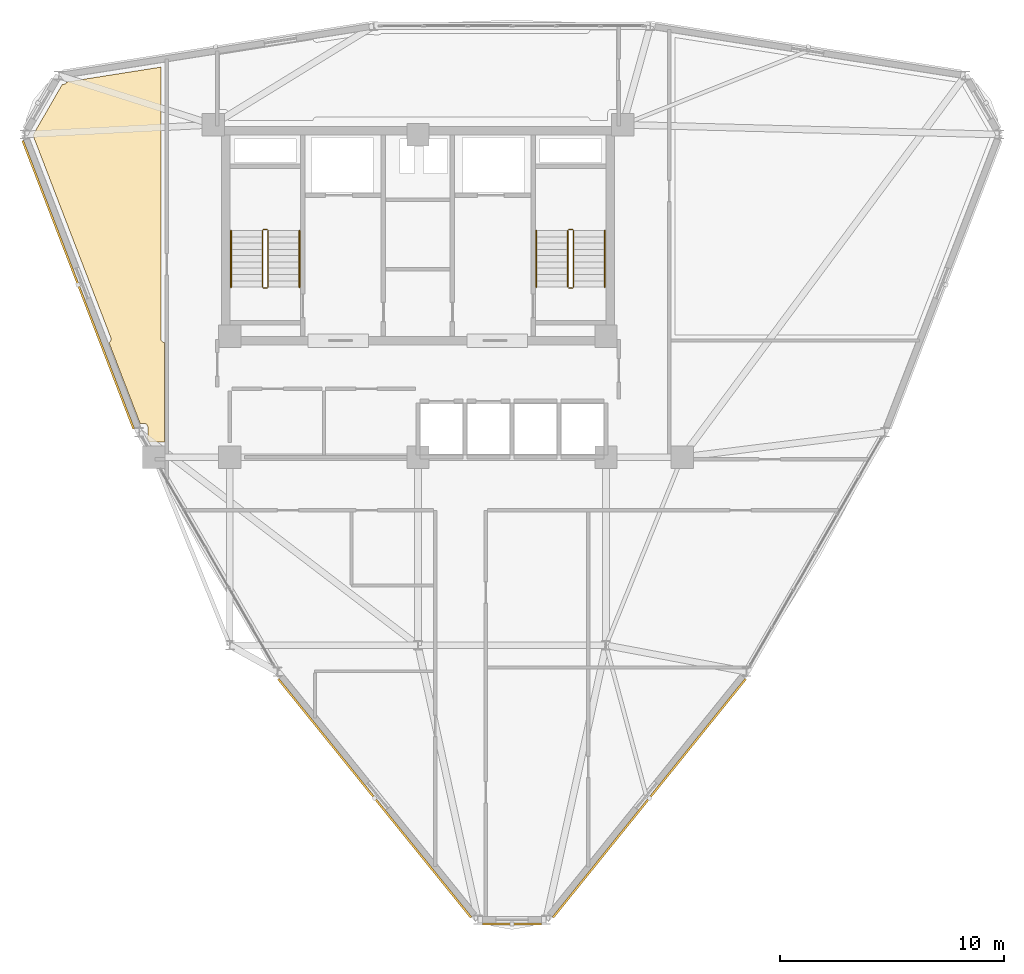
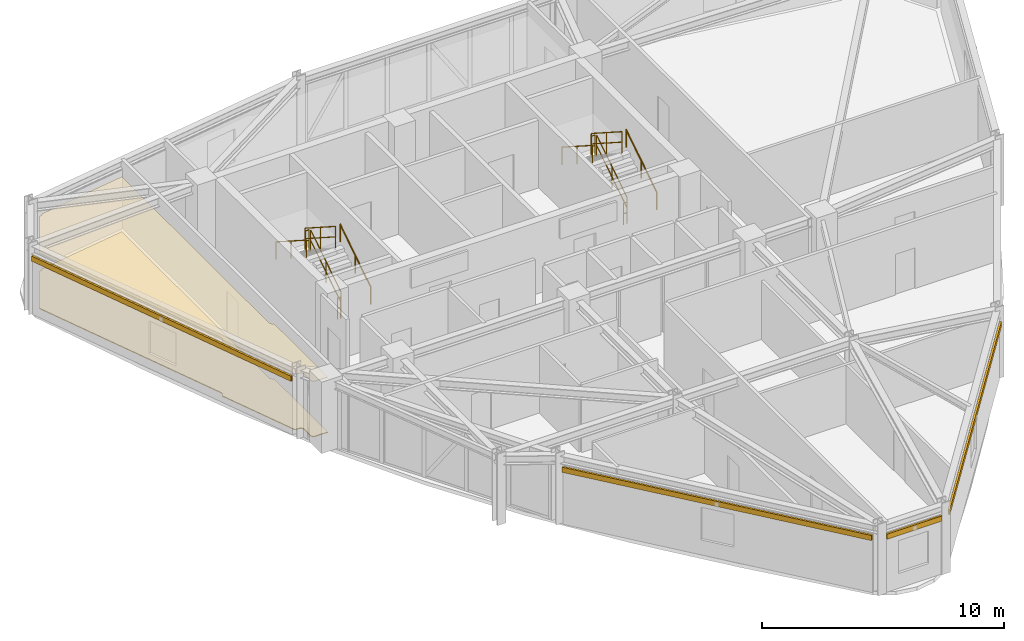
# One storey, part 17 of 18: 12 railings, 4 shading devices, 2 coverings.
"""IFC4 building model written with IfcOpenShell, lengths in metres."""

from ifc_helpers import new_model, si_unit, derived_unit, direction, frame, origin, origin_2d, place, context, subcontext, project, spatial, polyline, hollow_rectangle, circle, outline, extrude, source, transform, mapped, material, layer, layer_set, material_profile, profile_set, type_object, element, save


model = new_model("IFC4")

# Units and contexts
model_context = context("Model", 3, precision=1e-05, world=origin(), true_north=direction((0.0, 1.0)))
body_context = subcontext(model_context, "Body", "Model", "MODEL_VIEW")
ifc_project = project(units=[si_unit("LENGTHUNIT", "METRE"), si_unit("AREAUNIT", "SQUARE_METRE"), si_unit("VOLUMEUNIT", "CUBIC_METRE"), si_unit("PLANEANGLEUNIT", "RADIAN"), si_unit("MASSUNIT", "GRAM", prefix="KILO"), derived_unit("THERMALTRANSMITTANCEUNIT", [(si_unit("POWERUNIT", "WATT"), 1), (si_unit("LENGTHUNIT", "METRE"), -2), (si_unit("THERMODYNAMICTEMPERATUREUNIT", "KELVIN"), -1)])], contexts=[model_context])

# Site, building, storey
site_placement = place(None, origin())
site = spatial("IfcSite", under=ifc_project, at=site_placement, CompositionType="ELEMENT")
building_placement = place(site_placement, origin())
building = spatial("IfcBuilding", under=site, at=building_placement, Name="Korsvarv Bourse and Concert Hall", CompositionType="ELEMENT")
storey_placement = place(building_placement, frame((0.0, 0.0, 209.39990234375)))
storey = spatial("IfcBuildingStorey", under=building, at=storey_placement, Name="L54", CompositionType="ELEMENT", Elevation=209.39990234375)

# Coverings
ifc_material_1 = material(Name="Perforated mineral-wool and birch acoustic baffle ceiling", Category="wood")
ifc_layer_1 = layer(ifc_material_1, 0.02490234375)
ifc_layer_set_1 = layer_set([ifc_layer_1], Name="Perforated mineral-wool and birch acoustic baffle ceiling")
covering_type_1 = type_object("IfcCoveringType", Name="COV-CEIL-1", PredefinedType="CEILING", material=ifc_layer_set_1)
covering_1_placement = place(storey_placement, frame((0.0, 0.0, 2.7900390625)))
element("IfcCovering", 1, at=covering_1_placement, inside=storey, type_object=covering_type_1, Name="L54 acoustic baffle ceiling 3", PredefinedType="CEILING", context=body_context, shape_type="SweptSolid", body=[
    extrude(outline(polyline([(24.52001953125, 49.822509765625), (24.52001953125, 37.68994140625), (24.523681640625, 37.65380859375), (24.53466796875, 37.618896484375), (24.55224609375, 37.587158203125), (24.575927734375, 37.5595703125), (24.604736328125, 37.537353515625), (24.637451171875, 37.521240234375), (24.672607421875, 37.51220703125), (24.679931640625, 33.080322265625), (24.004150390625, 33.088623046875), (23.919189453125, 33.236083984375), (23.927001953125, 33.26171875), (23.93115234375, 33.296142578125), (23.941162109375, 33.72216796875), (23.938720703125, 33.757080078125), (23.92919921875, 33.790771484375), (23.91357421875, 33.822265625), (23.89208984375, 33.849853515625), (23.865478515625, 33.872802734375), (23.835205078125, 33.890380859375), (23.802001953125, 33.901611328125), (23.767333984375, 33.90625), (23.589599609375, 33.912109375), (22.2001953125, 37.52001953125), (22.22119140625, 37.533203125), (22.248046875, 37.557373046875), (22.269287109375, 37.58642578125), (22.284423828125, 37.618896484375), (22.29296875, 37.654052734375), (22.294189453125, 37.690185546875), (22.2880859375, 37.7255859375), (18.822998046875, 46.73681640625), (18.822998046875, 46.81201171875), (20.11474609375, 49.0498046875), (20.15478515625, 49.0498046875), (20.189697265625, 49.05322265625), (20.22314453125, 49.063232421875), (20.254150390625, 49.07958984375), (20.28125, 49.1015625), (20.3037109375, 49.12841796875), (20.320556640625, 49.1591796875), (24.52001953125, 49.822509765625)])), origin(), (0.0, 0.0, 1.0), 0.025146484375),
])
ifc_material_2 = material(Name="Calcium-sulphate raised access trading floor with Nordic oak top", Category="wood")
ifc_layer_2 = layer(ifc_material_2, 0.0400390625)
ifc_layer_set_2 = layer_set([ifc_layer_2], Name="Calcium-sulphate raised access trading floor with Nordic oak top")
covering_type_2 = type_object("IfcCoveringType", Name="COV-FLOR-1", PredefinedType="FLOORING", material=ifc_layer_set_2)
covering_2_placement = place(storey_placement, origin())
element("IfcCovering", 2, at=covering_2_placement, inside=storey, type_object=covering_type_2, Name="L54 raised access oak floor finish 3", PredefinedType="FLOORING", context=body_context, shape_type="SweptSolid", body=[
    extrude(outline(polyline([(24.52001953125, 49.822509765625), (24.52001953125, 37.68994140625), (24.523681640625, 37.65380859375), (24.53466796875, 37.618896484375), (24.55224609375, 37.587158203125), (24.575927734375, 37.5595703125), (24.604736328125, 37.537353515625), (24.637451171875, 37.521240234375), (24.672607421875, 37.51220703125), (24.679931640625, 33.080322265625), (24.004150390625, 33.088623046875), (23.919189453125, 33.236083984375), (23.927001953125, 33.26171875), (23.93115234375, 33.296142578125), (23.941162109375, 33.72216796875), (23.938720703125, 33.757080078125), (23.92919921875, 33.790771484375), (23.91357421875, 33.822265625), (23.89208984375, 33.849853515625), (23.865478515625, 33.872802734375), (23.835205078125, 33.890380859375), (23.802001953125, 33.901611328125), (23.767333984375, 33.90625), (23.589599609375, 33.912109375), (22.2001953125, 37.52001953125), (22.22119140625, 37.533203125), (22.248046875, 37.557373046875), (22.269287109375, 37.58642578125), (22.284423828125, 37.618896484375), (22.29296875, 37.654052734375), (22.294189453125, 37.690185546875), (22.2880859375, 37.7255859375), (18.822998046875, 46.73681640625), (18.822998046875, 46.81201171875), (20.11474609375, 49.0498046875), (20.15478515625, 49.0498046875), (20.189697265625, 49.05322265625), (20.22314453125, 49.063232421875), (20.254150390625, 49.07958984375), (20.28125, 49.1015625), (20.3037109375, 49.12841796875), (20.320556640625, 49.1591796875), (24.52001953125, 49.822509765625)])), origin(), (0.0, 0.0, 1.0), 0.0400390625),
])

# Railings
ifc_material_3 = material(Name="Painted Steel S355 stair well guardrail", Category="steel")
railing_type_1 = type_object("IfcRailingType", Name="RL-ST-GRD", PredefinedType="GUARDRAIL", material=ifc_material_3)
railing_1_placement = place(storey_placement, frame((29.31005859375, 40.0, 0.18017578125)))
element("IfcRailing", 3, at=railing_1_placement, inside=storey, type_object=railing_type_1, Name="L54 ST-T1 stair guard 1", PredefinedType="GUARDRAIL", context=body_context, shape_type="SweptSolid", body=[
    extrude(circle(Radius=0.02392578125, at=origin_2d()), frame((0.0, 0.0, 1.076171875), z_axis=(0.0, 0.841199657755, 0.540724639528), x_axis=(-1.0, 0.0, 0.0)), (0.0, 0.0, 1.0), 2.995849609375),
    extrude(circle(Radius=0.02392578125, at=origin_2d()), frame((0.0, 0.0, 0.550048828125), z_axis=(0.0, 0.841199657755, 0.540724639528), x_axis=(-1.0, 0.0, 0.0)), (0.0, 0.0, 1.0), 2.995849609375),
    extrude(circle(Radius=0.02099609375, at=origin_2d()), origin(), (0.0, 0.0, 1.0), 1.052001953125),
    extrude(circle(Radius=0.02099609375, at=origin_2d()), frame((0.0, 1.260009765625, 0.81005859375)), (0.0, 0.0, 1.0), 1.052001953125),
    extrude(circle(Radius=0.02099609375, at=origin_2d()), frame((0.0, 2.52001953125, 1.619873046875)), (0.0, 0.0, 1.0), 1.052001953125),
])
railing_2_placement = place(storey_placement, frame((29.260009765625, 42.570068359375, 1.800048828125)))
element("IfcRailing", 4, at=railing_2_placement, inside=storey, type_object=railing_type_1, Name="L54 ST-T1 stair guard 2", PredefinedType="GUARDRAIL", context=body_context, shape_type="SweptSolid", body=[
    extrude(circle(Radius=0.02392578125, at=origin_2d()), frame((0.0, 0.0, 1.076171875), z_axis=(-1.0, 0.0, 0.0), x_axis=(0.0, -1.0, 0.0)), (0.0, 0.0, 1.0), 0.159912109375),
    extrude(circle(Radius=0.02392578125, at=origin_2d()), frame((0.0, 0.0, 0.550048828125), z_axis=(-1.0, 0.0, 0.0), x_axis=(0.0, -1.0, 0.0)), (0.0, 0.0, 1.0), 0.159912109375),
    extrude(circle(Radius=0.02099609375, at=origin_2d()), origin(), (0.0, 0.0, 1.0), 1.052001953125),
    extrude(circle(Radius=0.02099609375, at=origin_2d()), frame((-0.159912109375, 0.0, 0.0)), (0.0, 0.0, 1.0), 1.052001953125),
])
railing_3_placement = place(storey_placement, frame((29.050048828125, 42.52001953125, 1.97998046875)))
element("IfcRailing", 5, at=railing_3_placement, inside=storey, type_object=railing_type_1, Name="L54 ST-T1 stair guard 3", PredefinedType="GUARDRAIL", context=body_context, shape_type="SweptSolid", body=[
    extrude(circle(Radius=0.02392578125, at=origin_2d()), frame((0.0, 0.0, 1.076171875), z_axis=(0.0, -0.841162588446, 0.540782303519), x_axis=(1.0, 0.0, 0.0)), (0.0, 0.0, 1.0), 2.995849609375),
    extrude(circle(Radius=0.02392578125, at=origin_2d()), frame((0.0, 0.0, 0.550048828125), z_axis=(0.0, -0.841162588446, 0.540782303519), x_axis=(1.0, 0.0, 0.0)), (0.0, 0.0, 1.0), 2.995849609375),
    extrude(circle(Radius=0.02099609375, at=origin_2d()), origin(), (0.0, 0.0, 1.0), 1.052001953125),
    extrude(circle(Radius=0.02099609375, at=origin_2d()), frame((0.0, -1.260009765625, 0.81005859375)), (0.0, 0.0, 1.0), 1.052001953125),
    extrude(circle(Radius=0.02099609375, at=origin_2d()), frame((0.0, -2.52001953125, 1.6201171875)), (0.0, 0.0, 1.0), 1.052001953125),
])
railing_4_placement = place(storey_placement, frame((29.260009765625, 39.949951171875, 0.0)))
element("IfcRailing", 6, at=railing_4_placement, inside=storey, type_object=railing_type_1, Name="L54 ST-T1 stair guard 4", PredefinedType="GUARDRAIL", context=body_context, shape_type="SweptSolid", body=[
    extrude(circle(Radius=0.02392578125, at=origin_2d()), frame((0.0, 0.0, 1.076171875), z_axis=(-1.0, 0.0, 0.0), x_axis=(0.0, -1.0, 0.0)), (0.0, 0.0, 1.0), 0.159912109375),
    extrude(circle(Radius=0.02392578125, at=origin_2d()), frame((0.0, 0.0, 0.550048828125), z_axis=(-1.0, 0.0, 0.0), x_axis=(0.0, -1.0, 0.0)), (0.0, 0.0, 1.0), 0.159912109375),
    extrude(circle(Radius=0.02099609375, at=origin_2d()), origin(), (0.0, 0.0, 1.0), 1.052001953125),
    extrude(circle(Radius=0.02099609375, at=origin_2d()), frame((-0.159912109375, 0.0, 0.0)), (0.0, 0.0, 1.0), 1.052001953125),
])
railing_5_placement = place(storey_placement, frame((42.949951171875, 40.0, 0.18017578125)))
element("IfcRailing", 7, at=railing_5_placement, inside=storey, type_object=railing_type_1, Name="L54 ST-T2 stair guard 1", PredefinedType="GUARDRAIL", context=body_context, shape_type="SweptSolid", body=[
    extrude(circle(Radius=0.02392578125, at=origin_2d()), frame((0.0, 0.0, 1.076171875), z_axis=(0.0, 0.841199657755, 0.540724639528), x_axis=(-1.0, 0.0, 0.0)), (0.0, 0.0, 1.0), 2.995849609375),
    extrude(circle(Radius=0.02392578125, at=origin_2d()), frame((0.0, 0.0, 0.550048828125), z_axis=(0.0, 0.841199657755, 0.540724639528), x_axis=(-1.0, 0.0, 0.0)), (0.0, 0.0, 1.0), 2.995849609375),
    extrude(circle(Radius=0.02099609375, at=origin_2d()), origin(), (0.0, 0.0, 1.0), 1.052001953125),
    extrude(circle(Radius=0.02099609375, at=origin_2d()), frame((0.0, 1.260009765625, 0.81005859375)), (0.0, 0.0, 1.0), 1.052001953125),
    extrude(circle(Radius=0.02099609375, at=origin_2d()), frame((0.0, 2.52001953125, 1.619873046875)), (0.0, 0.0, 1.0), 1.052001953125),
])
railing_6_placement = place(storey_placement, frame((42.89990234375, 42.570068359375, 1.800048828125)))
element("IfcRailing", 8, at=railing_6_placement, inside=storey, type_object=railing_type_1, Name="L54 ST-T2 stair guard 2", PredefinedType="GUARDRAIL", context=body_context, shape_type="SweptSolid", body=[
    extrude(circle(Radius=0.02392578125, at=origin_2d()), frame((0.0, 0.0, 1.076171875), z_axis=(-1.0, 0.0, 0.0), x_axis=(0.0, -1.0, 0.0)), (0.0, 0.0, 1.0), 0.159912109375),
    extrude(circle(Radius=0.02392578125, at=origin_2d()), frame((0.0, 0.0, 0.550048828125), z_axis=(-1.0, 0.0, 0.0), x_axis=(0.0, -1.0, 0.0)), (0.0, 0.0, 1.0), 0.159912109375),
    extrude(circle(Radius=0.02099609375, at=origin_2d()), origin(), (0.0, 0.0, 1.0), 1.052001953125),
    extrude(circle(Radius=0.02099609375, at=origin_2d()), frame((-0.159912109375, 0.0, 0.0)), (0.0, 0.0, 1.0), 1.052001953125),
])
railing_7_placement = place(storey_placement, frame((42.68994140625, 42.52001953125, 1.97998046875)))
element("IfcRailing", 9, at=railing_7_placement, inside=storey, type_object=railing_type_1, Name="L54 ST-T2 stair guard 3", PredefinedType="GUARDRAIL", context=body_context, shape_type="SweptSolid", body=[
    extrude(circle(Radius=0.02392578125, at=origin_2d()), frame((0.0, 0.0, 1.076171875), z_axis=(0.0, -0.841162588446, 0.540782303519), x_axis=(1.0, 0.0, 0.0)), (0.0, 0.0, 1.0), 2.995849609375),
    extrude(circle(Radius=0.02392578125, at=origin_2d()), frame((0.0, 0.0, 0.550048828125), z_axis=(0.0, -0.841162588446, 0.540782303519), x_axis=(1.0, 0.0, 0.0)), (0.0, 0.0, 1.0), 2.995849609375),
    extrude(circle(Radius=0.02099609375, at=origin_2d()), origin(), (0.0, 0.0, 1.0), 1.052001953125),
    extrude(circle(Radius=0.02099609375, at=origin_2d()), frame((0.0, -1.260009765625, 0.81005859375)), (0.0, 0.0, 1.0), 1.052001953125),
    extrude(circle(Radius=0.02099609375, at=origin_2d()), frame((0.0, -2.52001953125, 1.6201171875)), (0.0, 0.0, 1.0), 1.052001953125),
])
railing_8_placement = place(storey_placement, frame((42.89990234375, 39.949951171875, 0.0)))
element("IfcRailing", 10, at=railing_8_placement, inside=storey, type_object=railing_type_1, Name="L54 ST-T2 stair guard 4", PredefinedType="GUARDRAIL", context=body_context, shape_type="SweptSolid", body=[
    extrude(circle(Radius=0.02392578125, at=origin_2d()), frame((0.0, 0.0, 1.076171875), z_axis=(-1.0, 0.0, 0.0), x_axis=(0.0, -1.0, 0.0)), (0.0, 0.0, 1.0), 0.159912109375),
    extrude(circle(Radius=0.02392578125, at=origin_2d()), frame((0.0, 0.0, 0.550048828125), z_axis=(-1.0, 0.0, 0.0), x_axis=(0.0, -1.0, 0.0)), (0.0, 0.0, 1.0), 0.159912109375),
    extrude(circle(Radius=0.02099609375, at=origin_2d()), origin(), (0.0, 0.0, 1.0), 1.052001953125),
    extrude(circle(Radius=0.02099609375, at=origin_2d()), frame((-0.159912109375, 0.0, 0.0)), (0.0, 0.0, 1.0), 1.052001953125),
])
ifc_material_4 = material(Name="Brushed stainless Steel S355 tubular handrail", Category="steel")
railing_type_2 = type_object("IfcRailingType", Name="RL-ST-HND", PredefinedType="HANDRAIL", material=ifc_material_4)
railing_9_placement = place(storey_placement, frame((30.7099609375, 40.0, 0.18017578125)))
element("IfcRailing", 11, at=railing_9_placement, inside=storey, type_object=railing_type_2, Name="L54 ST-T1 stair handrail 1", PredefinedType="HANDRAIL", context=body_context, shape_type="SweptSolid", body=[
    extrude(circle(Radius=0.02392578125, at=origin_2d()), frame((0.0, 0.0, 0.8759765625), z_axis=(0.0, 0.841199657755, 0.540724639528), x_axis=(-1.0, 0.0, 0.0)), (0.0, 0.0, 1.0), 2.995849609375),
    extrude(circle(Radius=0.02099609375, at=origin_2d()), origin(), (0.0, 0.0, 1.0), 0.851806640625),
    extrude(circle(Radius=0.02099609375, at=origin_2d()), frame((0.0, 1.260009765625, 0.81005859375)), (0.0, 0.0, 1.0), 0.851806640625),
    extrude(circle(Radius=0.02099609375, at=origin_2d()), frame((0.0, 2.52001953125, 1.619873046875)), (0.0, 0.0, 1.0), 0.851806640625),
])
railing_10_placement = place(storey_placement, frame((27.64990234375, 42.52001953125, 1.97998046875)))
element("IfcRailing", 12, at=railing_10_placement, inside=storey, type_object=railing_type_2, Name="L54 ST-T1 stair handrail 2", PredefinedType="HANDRAIL", context=body_context, shape_type="SweptSolid", body=[
    extrude(circle(Radius=0.02392578125, at=origin_2d()), frame((0.0, 0.0, 0.8759765625), z_axis=(0.0, -0.841162588446, 0.540782303519), x_axis=(1.0, 0.0, 0.0)), (0.0, 0.0, 1.0), 2.995849609375),
    extrude(circle(Radius=0.02099609375, at=origin_2d()), origin(), (0.0, 0.0, 1.0), 0.851806640625),
    extrude(circle(Radius=0.02099609375, at=origin_2d()), frame((0.0, -1.260009765625, 0.81005859375)), (0.0, 0.0, 1.0), 0.851806640625),
    extrude(circle(Radius=0.02099609375, at=origin_2d()), frame((0.0, -2.52001953125, 1.6201171875)), (0.0, 0.0, 1.0), 0.851806640625),
])
railing_11_placement = place(storey_placement, frame((44.35009765625, 40.0, 0.18017578125)))
element("IfcRailing", 13, at=railing_11_placement, inside=storey, type_object=railing_type_2, Name="L54 ST-T2 stair handrail 1", PredefinedType="HANDRAIL", context=body_context, shape_type="SweptSolid", body=[
    extrude(circle(Radius=0.02392578125, at=origin_2d()), frame((0.0, 0.0, 0.8759765625), z_axis=(0.0, 0.841199657755, 0.540724639528), x_axis=(-1.0, 0.0, 0.0)), (0.0, 0.0, 1.0), 2.995849609375),
    extrude(circle(Radius=0.02099609375, at=origin_2d()), origin(), (0.0, 0.0, 1.0), 0.851806640625),
    extrude(circle(Radius=0.02099609375, at=origin_2d()), frame((0.0, 1.260009765625, 0.81005859375)), (0.0, 0.0, 1.0), 0.851806640625),
    extrude(circle(Radius=0.02099609375, at=origin_2d()), frame((0.0, 2.52001953125, 1.619873046875)), (0.0, 0.0, 1.0), 0.851806640625),
])
railing_12_placement = place(storey_placement, frame((41.2900390625, 42.52001953125, 1.97998046875)))
element("IfcRailing", 14, at=railing_12_placement, inside=storey, type_object=railing_type_2, Name="L54 ST-T2 stair handrail 2", PredefinedType="HANDRAIL", context=body_context, shape_type="SweptSolid", body=[
    extrude(circle(Radius=0.02392578125, at=origin_2d()), frame((0.0, 0.0, 0.8759765625), z_axis=(0.0, -0.841162588446, 0.540782303519), x_axis=(1.0, 0.0, 0.0)), (0.0, 0.0, 1.0), 2.995849609375),
    extrude(circle(Radius=0.02099609375, at=origin_2d()), origin(), (0.0, 0.0, 1.0), 0.851806640625),
    extrude(circle(Radius=0.02099609375, at=origin_2d()), frame((0.0, -1.260009765625, 0.81005859375)), (0.0, 0.0, 1.0), 0.851806640625),
    extrude(circle(Radius=0.02099609375, at=origin_2d()), frame((0.0, -2.52001953125, 1.6201171875)), (0.0, 0.0, 1.0), 0.851806640625),
])

# Shading devices
ifc_material_5 = material(Name="Glazed extruded architectural terracotta", Category="ceramic")
ifc_material_profile = material_profile(ifc_material_5, hollow_rectangle(XDim=0.090087890625, YDim=0.260009765625, WallThickness=0.011962890625, at=origin_2d()), Name="TC-BAG 90x260")
ifc_profile_set = profile_set([ifc_material_profile], Name="Glazed extruded architectural terracotta")
shading_device_type = type_object("IfcShadingDeviceType", Name="SHD-BAG-1", PredefinedType="USERDEFINED", material=ifc_profile_set)
shared_shape_1 = source(origin(), body_context, "Body", "SweptSolid", [
    extrude(hollow_rectangle(XDim=0.090087890625, YDim=0.260009765625, WallThickness=0.011962890625, at=origin_2d()), origin(), (0.0, 0.0, 1.0), 13.69677734375),
])
shading_device_1_placement = place(storey_placement, frame((29.760986328125, 22.4970703125, 2.800048828125), z_axis=(0.628515496786, -0.777797062414, 0.0), x_axis=(0.777797062414, 0.628515496786, 0.0)))
element("IfcShadingDevice", 15, at=shading_device_1_placement, inside=storey, type_object=shading_device_type, Name="L54 terracotta baguette sunshade EW-L54-B08", ObjectType="BAGUETTE", PredefinedType="USERDEFINED", context=body_context, shape_type="MappedRepresentation", body=[
    mapped(shared_shape_1, transform((0.0, 0.0, 0.0), scale=1.0)),
])
shared_shape_2 = source(origin(), body_context, "Body", "SweptSolid", [
    extrude(hollow_rectangle(XDim=0.090087890625, YDim=0.260009765625, WallThickness=0.011962890625, at=origin_2d()), origin(), (0.0, 0.0, 1.0), 2.628173828125),
])
shading_device_2_placement = place(storey_placement, frame((38.885986328125, 11.555908203125, 2.860107421875), z_axis=(1.0, 0.0, 0.0), x_axis=(0.0, 1.0, 0.0)))
element("IfcShadingDevice", 16, at=shading_device_2_placement, inside=storey, type_object=shading_device_type, Name="L54 terracotta baguette sunshade EW-L54-B09", ObjectType="BAGUETTE", PredefinedType="USERDEFINED", context=body_context, shape_type="MappedRepresentation", body=[
    mapped(shared_shape_2, transform((0.0, 0.0, 0.0), scale=1.0)),
])
shared_shape_3 = source(origin(), body_context, "Body", "SweptSolid", [
    extrude(hollow_rectangle(XDim=0.090087890625, YDim=0.260009765625, WallThickness=0.011962890625, at=origin_2d()), origin(), (0.0, 0.0, 1.0), 13.697021484375),
])
shading_device_3_placement = place(storey_placement, frame((42.0302734375, 11.84375, 2.800048828125), z_axis=(0.628526279962, 0.777788348716, 0.0), x_axis=(-0.777788348716, 0.628526279962, 0.0)))
element("IfcShadingDevice", 17, at=shading_device_3_placement, inside=storey, type_object=shading_device_type, Name="L54 terracotta baguette sunshade EW-L54-B10", ObjectType="BAGUETTE", PredefinedType="USERDEFINED", context=body_context, shape_type="MappedRepresentation", body=[
    mapped(shared_shape_3, transform((0.0, 0.0, 0.0), scale=1.0)),
])
shared_shape_4 = source(origin(), body_context, "Body", "SweptSolid", [
    extrude(hollow_rectangle(XDim=0.090087890625, YDim=0.260009765625, WallThickness=0.011962890625, at=origin_2d()), origin(), (0.0, 0.0, 1.0), 13.787841796875),
])
shading_device_4_placement = place(storey_placement, frame((18.3486328125, 46.535400390625, 2.860107421875), z_axis=(0.359327900146, -0.933211369507, 0.0), x_axis=(0.933211369507, 0.359327900146, 0.0)))
element("IfcShadingDevice", 18, at=shading_device_4_placement, inside=storey, type_object=shading_device_type, Name="L54 terracotta baguette sunshade EW-L54-B06", ObjectType="BAGUETTE", PredefinedType="USERDEFINED", context=body_context, shape_type="MappedRepresentation", body=[
    mapped(shared_shape_4, transform((0.0, 0.0, 0.0), scale=1.0)),
])

save(model, "model.ifc")
